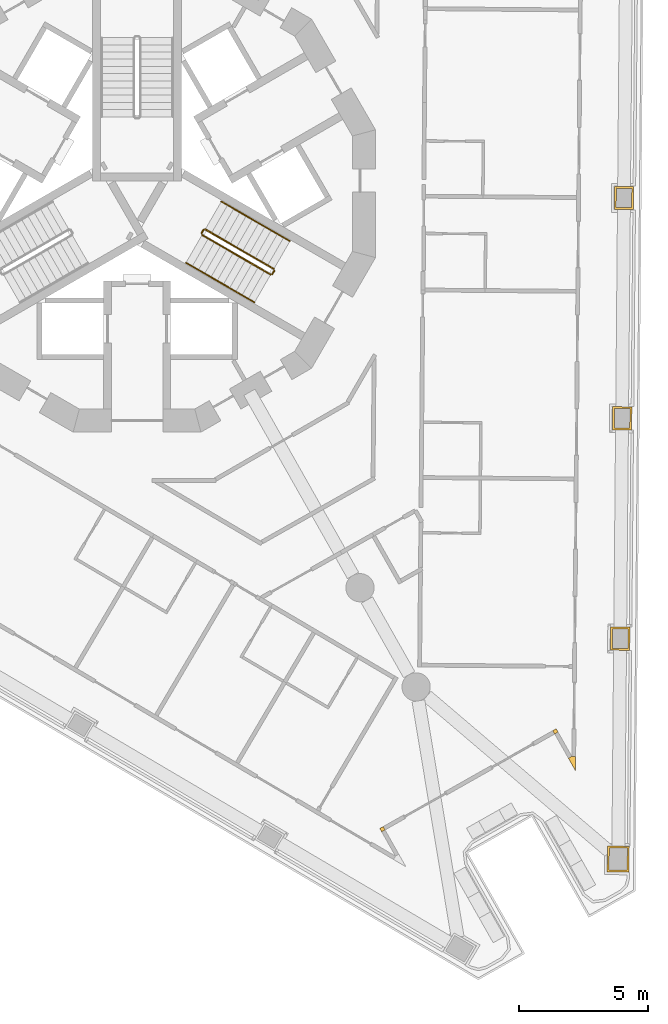
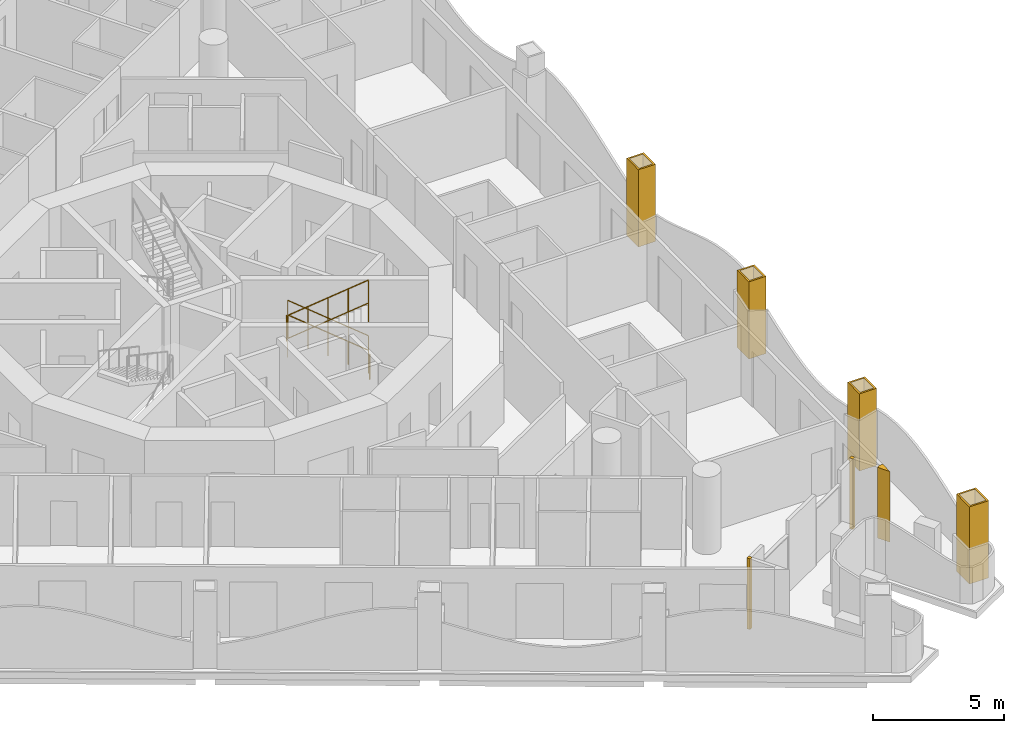
# One storey, part 14 of 17: 8 railings, 7 coverings.
"""IFC4 building model written with IfcOpenShell, lengths in metres."""

from ifc_helpers import new_model, si_unit, direction, frame, origin, origin_2d, place, context, subcontext, project, spatial, polyline, circle, outline, extrude, material, layer, layer_set, type_object, element, save


model = new_model("IFC4")

# Units and contexts
model_context = context("Model", 3, precision=1e-05, world=origin(), true_north=direction((0.0, 1.0)))
body_context = subcontext(model_context, "Body", "Model", "MODEL_VIEW")
ifc_project = project(units=[si_unit("LENGTHUNIT", "METRE"), si_unit("AREAUNIT", "SQUARE_METRE"), si_unit("VOLUMEUNIT", "CUBIC_METRE"), si_unit("PLANEANGLEUNIT", "RADIAN"), si_unit("MASSUNIT", "GRAM", prefix="KILO")], contexts=[model_context])

# Site, building, storey
site_placement = place(None, origin())
site = spatial("IfcSite", under=ifc_project, at=site_placement, CompositionType="ELEMENT")
building_placement = place(site_placement, origin())
building = spatial("IfcBuilding", under=site, at=building_placement, Name="Trine Commons Tower", CompositionType="ELEMENT")
storey_placement = place(building_placement, frame((0.0, 0.0, 186.300048828125)))
storey = spatial("IfcBuildingStorey", under=building, at=storey_placement, Name="L48", CompositionType="ELEMENT", Elevation=186.300048828125)

# Coverings
ifc_material_1 = material(Name="Aluminium-framed insulated wall panel", Category="aluminium")
ifc_layer_1 = layer(ifc_material_1, 0.14990234375)
ifc_layer_set_1 = layer_set([ifc_layer_1], Name="Aluminium-framed insulated wall panel")
covering_type_1 = type_object("IfcCoveringType", Name="Glazing corner post, aluminium", PredefinedType="CLADDING", material=ifc_layer_set_1)
covering_1_placement = place(storey_placement, origin())
element("IfcCovering", 1, at=covering_1_placement, inside=storey, type_object=covering_type_1, Name="Glazing corner post 5-09", PredefinedType="CLADDING", context=body_context, shape_type="SweptSolid", body=[
    extrude(outline(polyline([(96.776611328125, 40.5439453125), (97.05224609375, 40.056640625), (97.05712890625, 40.616455078125), (96.9072265625, 40.617919921875), (96.9072265625, 40.617919921875), (96.776611328125, 40.5439453125)])), origin(), (0.0, 0.0, 1.0), 3.300048828125),
])
covering_2_placement = place(storey_placement, origin())
element("IfcCovering", 2, at=covering_2_placement, inside=storey, type_object=covering_type_1, Name="Glazing corner post 5-10", PredefinedType="CLADDING", context=body_context, shape_type="SweptSolid", body=[
    extrude(outline(polyline([(96.168212890625, 41.619384765625), (96.241943359375, 41.489013671875), (96.37255859375, 41.562744140625), (96.298583984375, 41.693359375), (96.168212890625, 41.619384765625)])), origin(), (0.0, 0.0, 1.0), 3.300048828125),
])
covering_3_placement = place(storey_placement, origin())
element("IfcCovering", 3, at=covering_3_placement, inside=storey, type_object=covering_type_1, Name="Glazing corner post 5-11", PredefinedType="CLADDING", context=body_context, shape_type="SweptSolid", body=[
    extrude(outline(polyline([(89.51416015625, 37.6826171875), (89.644775390625, 37.75634765625), (89.57080078125, 37.886962890625), (89.440185546875, 37.81298828125), (89.51416015625, 37.6826171875)])), origin(), (0.0, 0.0, 1.0), 3.300048828125),
])
ifc_material_2 = material(Name="Limestone, honed", Category="masonry")
ifc_layer_2 = layer(ifc_material_2, 0.074951171875)
ifc_layer_set_2 = layer_set([ifc_layer_2], Name="Limestone, honed")
covering_type_2 = type_object("IfcCoveringType", Name="Limestone column cladding 75", PredefinedType="CLADDING", material=ifc_layer_set_2)
covering_4_placement = place(storey_placement, origin())
element("IfcCovering", 4, at=covering_4_placement, inside=storey, type_object=covering_type_2, Name="Limestone pier cladding 5-18", PredefinedType="CLADDING", context=body_context, shape_type="SweptSolid", body=[
    extrude(outline(polyline([(99.315673828125, 62.781494140625), (98.565673828125, 62.7880859375), (98.557861328125, 61.887939453125), (99.307861328125, 61.88134765625), (99.315673828125, 62.781494140625)]), holes=[polyline([(99.239990234375, 62.70703125), (98.64013671875, 62.71240234375), (98.633544921875, 61.96240234375), (99.2333984375, 61.95703125), (99.239990234375, 62.70703125)])]), origin(), (0.0, 0.0, 1.0), 3.599853515625),
])
covering_5_placement = place(storey_placement, origin())
element("IfcCovering", 5, at=covering_5_placement, inside=storey, type_object=covering_type_2, Name="Limestone pier cladding 5-19", PredefinedType="CLADDING", context=body_context, shape_type="SweptSolid", body=[
    extrude(outline(polyline([(99.240966796875, 54.211181640625), (98.490966796875, 54.2177734375), (98.483154296875, 53.31787109375), (99.233154296875, 53.311279296875), (99.240966796875, 54.211181640625)]), holes=[polyline([(99.165283203125, 54.136962890625), (98.565185546875, 54.14208984375), (98.55859375, 53.39208984375), (99.15869140625, 53.386962890625), (99.165283203125, 54.136962890625)])]), origin(), (0.0, 0.0, 1.0), 3.599853515625),
])
covering_6_placement = place(storey_placement, origin())
element("IfcCovering", 6, at=covering_6_placement, inside=storey, type_object=covering_type_2, Name="Limestone pier cladding 5-20", PredefinedType="CLADDING", context=body_context, shape_type="SweptSolid", body=[
    extrude(outline(polyline([(99.166015625, 45.640869140625), (98.416015625, 45.6474609375), (98.408203125, 44.74755859375), (99.158203125, 44.740966796875), (99.166015625, 45.640869140625)]), holes=[polyline([(99.090576171875, 45.566650390625), (98.490478515625, 45.57177734375), (98.48388671875, 44.82177734375), (99.083984375, 44.816650390625), (99.090576171875, 45.566650390625)])]), origin(), (0.0, 0.0, 1.0), 3.599853515625),
])
covering_7_placement = place(storey_placement, origin())
element("IfcCovering", 7, at=covering_7_placement, inside=storey, type_object=covering_type_2, Name="Limestone pier cladding 5-21", PredefinedType="CLADDING", context=body_context, shape_type="SweptSolid", body=[
    extrude(outline(polyline([(99.1416015625, 37.1201171875), (98.291748046875, 37.127685546875), (98.283203125, 36.127685546875), (99.133056640625, 36.1201171875), (99.1416015625, 37.1201171875)]), holes=[polyline([(99.066162109375, 37.0458984375), (98.3662109375, 37.052001953125), (98.358642578125, 36.201904296875), (99.05859375, 36.19580078125), (99.066162109375, 37.0458984375)])]), origin(), (0.0, 0.0, 1.0), 3.599853515625),
])

# Railings
ifc_material_3 = material(Name="Stainless steel balustrade", Category="steel")
railing_type_1 = type_object("IfcRailingType", Name="Stair guard, steel balustrade 1100", PredefinedType="GUARDRAIL", material=ifc_material_3)
railing_1_placement = place(storey_placement, frame((85.31982421875, 59.572998046875, 0.14990234375)))
element("IfcRailing", 8, at=railing_1_placement, inside=storey, type_object=railing_type_1, Name="L48 ST3B stair guard 1", PredefinedType="GUARDRAIL", context=body_context, shape_type="SweptSolid", body=[
    extrude(circle(Radius=0.02392578125, at=origin_2d()), frame((0.0, 0.0, 1.076171875), z_axis=(-0.763379768245, 0.440728498818, 0.472239049384), x_axis=(-0.499992328818, -0.866029832698, 0.0)), (0.0, 0.0, 1.0), 3.494384765625),
    extrude(circle(Radius=0.02099609375, at=origin_2d()), origin(), (0.0, 0.0, 1.0), 1.052001953125),
    extrude(circle(Radius=0.02099609375, at=origin_2d()), frame((-0.6669921875, 0.385009765625, 0.41259765625)), (0.0, 0.0, 1.0), 1.052001953125),
    extrude(circle(Radius=0.02099609375, at=origin_2d()), frame((-1.333740234375, 0.77001953125, 0.8251953125)), (0.0, 0.0, 1.0), 1.052001953125),
    extrude(circle(Radius=0.02099609375, at=origin_2d()), frame((-2.00048828125, 1.155029296875, 1.237548828125)), (0.0, 0.0, 1.0), 1.052001953125),
    extrude(circle(Radius=0.02099609375, at=origin_2d()), frame((-2.66748046875, 1.5400390625, 1.650146484375)), (0.0, 0.0, 1.0), 1.052001953125),
])
railing_2_placement = place(storey_placement, frame((82.584228515625, 61.0947265625, 1.800048828125)))
element("IfcRailing", 9, at=railing_2_placement, inside=storey, type_object=railing_type_1, Name="L48 ST3B stair guard 2", PredefinedType="GUARDRAIL", context=body_context, shape_type="SweptSolid", body=[
    extrude(circle(Radius=0.02392578125, at=origin_2d()), frame((0.0, 0.0, 1.076171875), z_axis=(-0.501036270542, -0.865426285481, 0.0), x_axis=(0.865426285481, -0.501036270542, 0.0)), (0.0, 0.0, 1.0), 0.150146484375),
    extrude(circle(Radius=0.02099609375, at=origin_2d()), origin(), (0.0, 0.0, 1.0), 1.052001953125),
    extrude(circle(Radius=0.02099609375, at=origin_2d()), frame((-0.0751953125, -0.1298828125, 0.0)), (0.0, 0.0, 1.0), 1.052001953125),
])
railing_3_placement = place(storey_placement, frame((82.52734375, 60.896484375, 1.949951171875)))
element("IfcRailing", 10, at=railing_3_placement, inside=storey, type_object=railing_type_1, Name="L48 ST3B stair guard 3", PredefinedType="GUARDRAIL", context=body_context, shape_type="SweptSolid", body=[
    extrude(circle(Radius=0.02392578125, at=origin_2d()), frame((0.0, 0.0, 1.076171875), z_axis=(0.76340495495, -0.440743040072, 0.472184759798), x_axis=(0.499992328818, 0.866029832698, 0.0)), (0.0, 0.0, 1.0), 3.494140625),
    extrude(circle(Radius=0.02099609375, at=origin_2d()), origin(), (0.0, 0.0, 1.0), 1.052001953125),
    extrude(circle(Radius=0.02099609375, at=origin_2d()), frame((0.6669921875, -0.385009765625, 0.41259765625)), (0.0, 0.0, 1.0), 1.052001953125),
    extrude(circle(Radius=0.02099609375, at=origin_2d()), frame((1.333740234375, -0.77001953125, 0.824951171875)), (0.0, 0.0, 1.0), 1.052001953125),
    extrude(circle(Radius=0.02099609375, at=origin_2d()), frame((2.00048828125, -1.155029296875, 1.2373046875)), (0.0, 0.0, 1.0), 1.052001953125),
    extrude(circle(Radius=0.02099609375, at=origin_2d()), frame((2.66748046875, -1.5400390625, 1.64990234375)), (0.0, 0.0, 1.0), 1.052001953125),
])
railing_4_placement = place(storey_placement, frame((85.338134765625, 59.504638671875, 0.0)))
element("IfcRailing", 11, at=railing_4_placement, inside=storey, type_object=railing_type_1, Name="L48 ST3B stair guard 4", PredefinedType="GUARDRAIL", context=body_context, shape_type="SweptSolid", body=[
    extrude(circle(Radius=0.02392578125, at=origin_2d()), frame((0.0, 0.0, 1.076171875), z_axis=(-0.499816412211, -0.866131372301, 0.0), x_axis=(0.866131372301, -0.499816412211, 0.0)), (0.0, 0.0, 1.0), 0.14990234375),
    extrude(circle(Radius=0.02099609375, at=origin_2d()), origin(), (0.0, 0.0, 1.0), 1.052001953125),
    extrude(circle(Radius=0.02099609375, at=origin_2d()), frame((-0.074951171875, -0.1298828125, 0.0)), (0.0, 0.0, 1.0), 1.052001953125),
])
ifc_material_4 = material(Name="Stainless steel handrail", Category="steel")
railing_type_2 = type_object("IfcRailingType", Name="Stair handrail, steel 900", PredefinedType="HANDRAIL", material=ifc_material_4)
railing_5_placement = place(storey_placement, frame((85.94482421875, 60.655517578125, 0.14990234375)))
element("IfcRailing", 12, at=railing_5_placement, inside=storey, type_object=railing_type_2, Name="L48 ST3B stair handrail 1", PredefinedType="HANDRAIL", context=body_context, shape_type="SweptSolid", body=[
    extrude(circle(Radius=0.02099609375, at=origin_2d()), frame((0.0, 0.0, 0.87890625), z_axis=(-0.76340495495, 0.440743040072, 0.472184759798), x_axis=(-0.499992328818, -0.866029832698, 0.0)), (0.0, 0.0, 1.0), 1.7470703125),
    extrude(circle(Radius=0.01513671875, at=origin_2d()), origin(), (0.0, 0.0, 1.0), 0.85791015625),
    extrude(circle(Radius=0.01513671875, at=origin_2d()), frame((-0.6669921875, 0.385009765625, 0.41259765625)), (0.0, 0.0, 1.0), 0.85791015625),
    extrude(circle(Radius=0.01513671875, at=origin_2d()), frame((-1.333740234375, 0.77001953125, 0.824951171875)), (0.0, 0.0, 1.0), 0.85791015625),
])
railing_6_placement = place(storey_placement, frame((84.611083984375, 61.425537109375, 0.974853515625)))
element("IfcRailing", 13, at=railing_6_placement, inside=storey, type_object=railing_type_2, Name="L48 ST3B stair handrail 2", PredefinedType="HANDRAIL", context=body_context, shape_type="SweptSolid", body=[
    extrude(circle(Radius=0.02099609375, at=origin_2d()), frame((0.0, 0.0, 0.87890625), z_axis=(-0.763354580307, 0.440713956853, 0.472293333596), x_axis=(-0.499992328818, -0.866029832698, 0.0)), (0.0, 0.0, 1.0), 1.747314453125),
    extrude(circle(Radius=0.01513671875, at=origin_2d()), origin(), (0.0, 0.0, 1.0), 0.85791015625),
    extrude(circle(Radius=0.01513671875, at=origin_2d()), frame((-0.6669921875, 0.385009765625, 0.41259765625)), (0.0, 0.0, 1.0), 0.85791015625),
    extrude(circle(Radius=0.01513671875, at=origin_2d()), frame((-1.333740234375, 0.77001953125, 0.8251953125)), (0.0, 0.0, 1.0), 0.85791015625),
])
for number, where, name in (
    (14, (81.90234375, 59.81396484375, 1.949951171875), "L48 ST3B stair handrail 3"),
    (15, (83.236083984375, 59.0439453125, 2.77490234375), "L48 ST3B stair handrail 4"),
):
    element("IfcRailing", number, at=place(storey_placement, frame(where)), inside=storey, type_object=railing_type_2, Name=name, PredefinedType="HANDRAIL", context=body_context, shape_type="SweptSolid", body=[
        extrude(circle(Radius=0.02099609375, at=origin_2d()), frame((0.0, 0.0, 0.87890625), z_axis=(0.76340495495, -0.440743040072, 0.472184759798), x_axis=(0.499992328818, 0.866029832698, 0.0)), (0.0, 0.0, 1.0), 1.7470703125),
        extrude(circle(Radius=0.01513671875, at=origin_2d()), origin(), (0.0, 0.0, 1.0), 0.85791015625),
        extrude(circle(Radius=0.01513671875, at=origin_2d()), frame((0.6669921875, -0.385009765625, 0.41259765625)), (0.0, 0.0, 1.0), 0.85791015625),
        extrude(circle(Radius=0.01513671875, at=origin_2d()), frame((1.333740234375, -0.77001953125, 0.824951171875)), (0.0, 0.0, 1.0), 0.85791015625),
    ])

save(model, "model.ifc")
